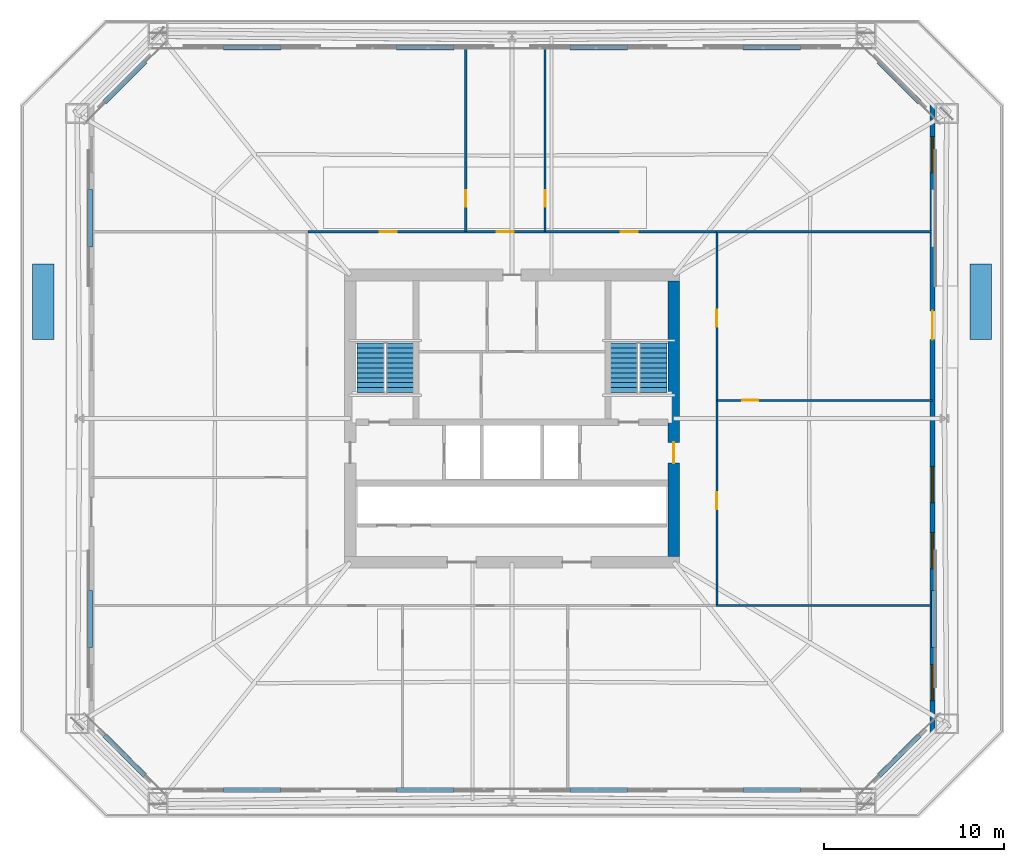
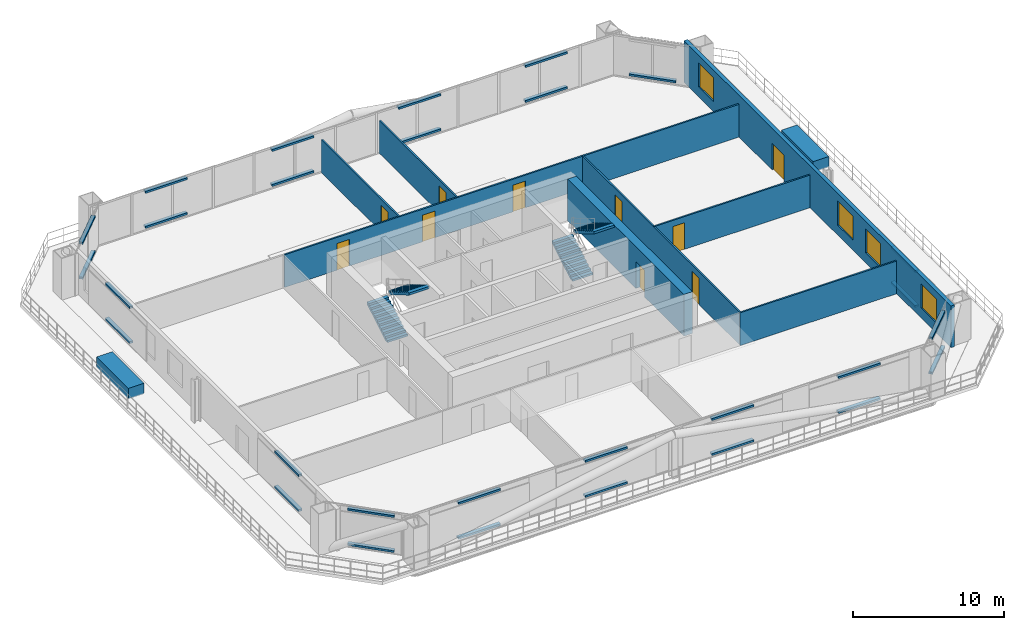
# One storey, part 30 of 34: 31 discrete accessories, 10 doors, 9 walls, 4 stair flights, 4 windows, 14 openings, 2 elements without a shape of their own.
"""IFC4 building model written with IfcOpenShell, lengths in metres."""

from ifc_helpers import new_model, si_unit, direction, frame, frame_2d, origin, origin_2d, place, context, subcontext, project, spatial, polyline, rectangle, outline, extrude, material, layer, layer_set, type_object, element, fill, aggregate, save


model = new_model("IFC4")

# Units and contexts
model_context = context("Model", 3, precision=1e-05, world=origin(), true_north=direction((0.0, 1.0)))
body_context = subcontext(model_context, "Body", "Model", "MODEL_VIEW")
ifc_project = project(units=[si_unit("LENGTHUNIT", "METRE"), si_unit("AREAUNIT", "SQUARE_METRE"), si_unit("VOLUMEUNIT", "CUBIC_METRE"), si_unit("PLANEANGLEUNIT", "RADIAN"), si_unit("MASSUNIT", "GRAM", prefix="KILO")], contexts=[model_context])

# Site, building, storey
site_placement = place(None, origin())
site = spatial("IfcSite", under=ifc_project, at=site_placement, CompositionType="ELEMENT")
building_placement = place(site_placement, origin())
building = spatial("IfcBuilding", under=site, at=building_placement, Name="Caelvoria Tower", CompositionType="ELEMENT")
storey_placement = place(building_placement, frame((0.0, 0.0, 28.0)))
storey = spatial("IfcBuildingStorey", under=building, at=storey_placement, Name="L06", CompositionType="ELEMENT", Elevation=28.0)

# Wall, openings, door, windows
ifc_material_1 = material(Name="Precast Concrete C40/50 with Bronze Cladding", Category="concrete")
ifc_layer_1 = layer(ifc_material_1, 0.280029296875, Name="Precast Concrete C40/50 with Bronze Cladding")
ifc_layer_set_1 = layer_set([ifc_layer_1], Name="Exterior Precast Concrete C40/50 Bronze-Clad Facade Wall 280 - Precast Concrete C40/50 with Bronze Cladding")
wall_type_1 = type_object("IfcWallType", Name="Exterior Precast Concrete C40/50 Bronze-Clad Facade Wall 280", PredefinedType="STANDARD", material=ifc_layer_set_1)
wall_1_placement = place(storey_placement, frame((69.419921875, 14.360107421875, 0.0), z_axis=(0.0, 0.0, 1.0), x_axis=(0.0, 1.0, 0.0)))
wall_1 = element("IfcWall", 1, at=wall_1_placement, inside=storey, type_object=wall_type_1, Name="Exterior Facade Wall L06-E2", PredefinedType="STANDARD", context=body_context, shape_type="SweptSolid", body=[
    extrude(rectangle(XDim=35.27978515625, YDim=0.280029296875, at=frame_2d((17.639892578125, 0.0))), origin(), (0.0, 0.0, 1.0), 3.360107421875),
])
opening_1_placement = place(wall_1_placement, frame((22.0400390625, 0.0, 0.0)))
opening_1 = element("IfcOpeningElement", 2, at=opening_1_placement, cuts=wall_1, Name="Opening ED-03", PredefinedType="OPENING", context=body_context, shape_type="SweptSolid", body=[
    extrude(rectangle(XDim=1.60009765625, YDim=2.14990234375, at=frame_2d((0.800048828125, 1.074951171875))), frame((0.0, 0.14990234375, 0.0), z_axis=(0.0, -1.0, 0.0), x_axis=(1.0, 0.0, 0.0)), (0.0, 0.0, 1.0), 0.300048828125),
])
opening_2_placement = place(wall_1_placement, frame((1.937744140625, 0.0, 0.800048828125)))
opening_2 = element("IfcOpeningElement", 3, at=opening_2_placement, cuts=wall_1, Name="Opening WN-01", PredefinedType="OPENING", context=body_context, shape_type="SweptSolid", body=[
    extrude(rectangle(XDim=2.0, YDim=1.949951171875, at=frame_2d((1.0, 0.97509765625))), frame((0.0, 0.14990234375, 0.0), z_axis=(0.0, -1.0, 0.0), x_axis=(1.0, 0.0, 0.0)), (0.0, 0.0, 1.0), 0.300048828125),
])
opening_3_placement = place(wall_1_placement, frame((9.288818359375, 0.0, 0.800048828125)))
opening_3 = element("IfcOpeningElement", 4, at=opening_3_placement, cuts=wall_1, Name="Opening WN-01", PredefinedType="OPENING", context=body_context, shape_type="SweptSolid", body=[
    extrude(rectangle(XDim=2.0, YDim=1.949951171875, at=frame_2d((1.0, 0.97509765625))), frame((0.0, 0.14990234375, 0.0), z_axis=(0.0, -1.0, 0.0), x_axis=(1.0, 0.0, 0.0)), (0.0, 0.0, 1.0), 0.300048828125),
])
opening_4_placement = place(wall_1_placement, frame((12.96435546875, 0.0, 0.800048828125)))
opening_4 = element("IfcOpeningElement", 5, at=opening_4_placement, cuts=wall_1, Name="Opening WN-01", PredefinedType="OPENING", context=body_context, shape_type="SweptSolid", body=[
    extrude(rectangle(XDim=2.0, YDim=1.949951171875, at=frame_2d((1.0, 0.97509765625))), frame((0.0, 0.14990234375, 0.0), z_axis=(0.0, -1.0, 0.0), x_axis=(1.0, 0.0, 0.0)), (0.0, 0.0, 1.0), 0.300048828125),
])
opening_5_placement = place(wall_1_placement, frame((31.34228515625, 0.0, 0.800048828125)))
opening_5 = element("IfcOpeningElement", 6, at=opening_5_placement, cuts=wall_1, Name="Opening WN-01", PredefinedType="OPENING", context=body_context, shape_type="SweptSolid", body=[
    extrude(rectangle(XDim=2.0, YDim=1.949951171875, at=frame_2d((1.0, 0.97509765625))), frame((0.0, 0.14990234375, 0.0), z_axis=(0.0, -1.0, 0.0), x_axis=(1.0, 0.0, 0.0)), (0.0, 0.0, 1.0), 0.300048828125),
])
ifc_material_2 = material(Name="Anodised Bronze Aluminium and Laminated Glass", Category="aluminium")
door_type_1 = type_object("IfcDoorType", Name="Terrace Garden Double Glazed Door 1600x2150", OperationType="NOTDEFINED", PredefinedType="DOOR", material=ifc_material_2)
door_1_placement = place(opening_1_placement, origin())
door_1 = element("IfcDoor", 7, at=door_1_placement, inside=storey, type_object=door_type_1, Name="Terrace Roof Garden Door L06-E", OperationType="DOUBLE_DOOR_SINGLE_SWING", OverallHeight=2.14990234375, OverallWidth=1.60009765625, PredefinedType="DOOR", context=body_context, shape_type="SweptSolid", body=[
    extrude(rectangle(XDim=1.60009765625, YDim=2.14990234375, at=frame_2d((0.800048828125, 1.074951171875))), frame((0.0, 0.02490234375, 0.0), z_axis=(0.0, -1.0, 0.0), x_axis=(1.0, 0.0, 0.0)), (0.0, 0.0, 1.0), 0.050048828125),
])
fill(opening_1, door_1)
ifc_material_3 = material(Name="Low-E Tinted Glass in Bronze Aluminium Frame", Category="aluminium")
window_type = type_object("IfcWindowType", Name="Tower Office Vision Window 2000x1950", PartitioningType="SINGLE_PANEL", PredefinedType="WINDOW", material=ifc_material_3)
window_1_placement = place(opening_2_placement, origin())
window_1 = element("IfcWindow", 8, at=window_1_placement, inside=storey, type_object=window_type, Name="Facade Window L06-E2-00", OverallHeight=1.949951171875, OverallWidth=2.0, PartitioningType="SINGLE_PANEL", PredefinedType="WINDOW", context=body_context, shape_type="SweptSolid", body=[
    extrude(rectangle(XDim=2.0, YDim=1.949951171875, at=frame_2d((1.0, 0.97509765625))), frame((0.0, 0.030029296875, 0.0), z_axis=(0.0, -1.0, 0.0), x_axis=(1.0, 0.0, 0.0)), (0.0, 0.0, 1.0), 0.06005859375),
])
fill(opening_2, window_1)
window_2_placement = place(opening_3_placement, origin())
window_2 = element("IfcWindow", 9, at=window_2_placement, inside=storey, type_object=window_type, Name="Facade Window L06-E2-02", OverallHeight=1.949951171875, OverallWidth=2.0, PartitioningType="SINGLE_PANEL", PredefinedType="WINDOW", context=body_context, shape_type="SweptSolid", body=[
    extrude(rectangle(XDim=2.0, YDim=1.949951171875, at=frame_2d((1.0, 0.97509765625))), frame((0.0, 0.030029296875, 0.0), z_axis=(0.0, -1.0, 0.0), x_axis=(1.0, 0.0, 0.0)), (0.0, 0.0, 1.0), 0.06005859375),
])
fill(opening_3, window_2)
window_3_placement = place(opening_4_placement, origin())
window_3 = element("IfcWindow", 10, at=window_3_placement, inside=storey, type_object=window_type, Name="Facade Window L06-E2-03", OverallHeight=1.949951171875, OverallWidth=2.0, PartitioningType="SINGLE_PANEL", PredefinedType="WINDOW", context=body_context, shape_type="SweptSolid", body=[
    extrude(rectangle(XDim=2.0, YDim=1.949951171875, at=frame_2d((1.0, 0.97509765625))), frame((0.0, 0.030029296875, 0.0), z_axis=(0.0, -1.0, 0.0), x_axis=(1.0, 0.0, 0.0)), (0.0, 0.0, 1.0), 0.06005859375),
])
fill(opening_4, window_3)
window_4_placement = place(opening_5_placement, origin())
window_4 = element("IfcWindow", 11, at=window_4_placement, inside=storey, type_object=window_type, Name="Facade Window L06-E2-08", OverallHeight=1.949951171875, OverallWidth=2.0, PartitioningType="SINGLE_PANEL", PredefinedType="WINDOW", context=body_context, shape_type="SweptSolid", body=[
    extrude(rectangle(XDim=2.0, YDim=1.949951171875, at=frame_2d((1.0, 0.97509765625))), frame((0.0, 0.030029296875, 0.0), z_axis=(0.0, -1.0, 0.0), x_axis=(1.0, 0.0, 0.0)), (0.0, 0.0, 1.0), 0.06005859375),
])
fill(opening_5, window_4)

# Wall, opening, door
ifc_material_4 = material(Name="Concrete C60/75", Category="concrete")
ifc_layer_2 = layer(ifc_material_4, 0.64990234375, Name="Concrete C60/75")
ifc_layer_set_2 = layer_set([ifc_layer_2], Name="Lower Core Shear Wall 650 - Concrete C60/75")
wall_type_2 = type_object("IfcWallType", Name="Lower Core Shear Wall 650", PredefinedType="SHEAR", material=ifc_layer_set_2)
wall_2_placement = place(storey_placement, frame((55.0, 24.324951171875, 0.0), z_axis=(0.0, 0.0, 1.0), x_axis=(0.0, 1.0, 0.0)))
wall_2 = element("IfcWall", 12, at=wall_2_placement, inside=storey, type_object=wall_type_2, Name="Core Shear Wall L06 E", PredefinedType="SHEAR", context=body_context, shape_type="SweptSolid", body=[
    extrude(rectangle(XDim=15.35009765625, YDim=0.64990234375, at=frame_2d((7.675048828125, 0.0))), origin(), (0.0, 0.0, 1.0), 3.360107421875),
])
opening_6_placement = place(wall_2_placement, frame((5.199951171875, 0.0, 0.0)))
opening_6 = element("IfcOpeningElement", 13, at=opening_6_placement, cuts=wall_2, Name="Opening ID-02", PredefinedType="OPENING", context=body_context, shape_type="SweptSolid", body=[
    extrude(rectangle(XDim=1.14990234375, YDim=2.14990234375, at=frame_2d((0.574951171875, 1.074951171875))), frame((0.0, 0.3349609375, 0.0), z_axis=(0.0, -1.0, 0.0), x_axis=(1.0, 0.0, 0.0)), (0.0, 0.0, 1.0), 0.669921875),
])
ifc_material_5 = material(Name="Painted Hollow Steel Fire Door", Category="steel")
door_type_2 = type_object("IfcDoorType", Name="Fire Door FD60S 1150x2150", OperationType="NOTDEFINED", PredefinedType="DOOR", material=ifc_material_5)
door_2_placement = place(opening_6_placement, origin())
door_2 = element("IfcDoor", 14, at=door_2_placement, inside=storey, type_object=door_type_2, Name="Core Door DR-L06-FFLE-OUT", OperationType="SINGLE_SWING_RIGHT", OverallHeight=2.14990234375, OverallWidth=1.14990234375, PredefinedType="DOOR", context=body_context, shape_type="SweptSolid", body=[
    extrude(rectangle(XDim=1.14990234375, YDim=2.14990234375, at=frame_2d((0.574951171875, 1.074951171875))), frame((0.0, 0.02490234375, 0.0), z_axis=(0.0, -1.0, 0.0), x_axis=(1.0, 0.0, 0.0)), (0.0, 0.0, 1.0), 0.050048828125),
])
fill(opening_6, door_2)

ifc_material_6 = material(Name="Acoustic Gypsum Board on Light-Gauge Stud", Category="gypsum")
ifc_layer_3 = layer(ifc_material_6, 0.1201171875, Name="Acoustic Gypsum Board on Light-Gauge Stud")
ifc_layer_set_3 = layer_set([ifc_layer_3], Name="Tenant Suite Acoustic Partition Wall 120 - Acoustic Gypsum Board on Light-Gauge Stud")
wall_type_3 = type_object("IfcWallType", Name="Tenant Suite Acoustic Partition Wall 120", PredefinedType="PARTITIONING", material=ifc_layer_set_3)
wall_3_placement = place(storey_placement, frame((43.422119140625, 42.409912109375, 0.0), z_axis=(0.0, 0.0, 1.0), x_axis=(0.0, 1.0, 0.0)))
wall_3 = element("IfcWall", 15, at=wall_3_placement, inside=storey, type_object=wall_type_3, Name="Interior Partition IW-L06-ND-00-0", PredefinedType="PARTITIONING", context=body_context, shape_type="SweptSolid", body=[
    extrude(rectangle(XDim=10.210205078125, YDim=0.1201171875, at=frame_2d((5.10498046875, 0.0))), origin(), (0.0, 0.0, 1.0), 2.639892578125),
])
opening_7_placement = place(wall_3_placement, frame((1.39990234375, 0.0, 0.0)))
opening_7 = element("IfcOpeningElement", 16, at=opening_7_placement, cuts=wall_3, Name="Opening ID-06", PredefinedType="OPENING", context=body_context, shape_type="SweptSolid", body=[
    extrude(rectangle(XDim=0.89990234375, YDim=2.14990234375, at=frame_2d((0.449951171875, 1.074951171875))), frame((0.0, 0.070068359375, 0.0), z_axis=(0.0, -1.0, 0.0), x_axis=(1.0, 0.0, 0.0)), (0.0, 0.0, 1.0), 0.14013671875),
])
ifc_material_7 = material(Name="Engineered Andean Oak Veneer Door", Category="wood")
door_type_3 = type_object("IfcDoorType", Name="Interior Timber Door 900x2150", OperationType="NOTDEFINED", PredefinedType="DOOR", material=ifc_material_7)
door_3_placement = place(opening_7_placement, origin())
door_3 = element("IfcDoor", 17, at=door_3_placement, inside=storey, type_object=door_type_3, Name="Interior Door DR-L06-NM-00-0", OperationType="SINGLE_SWING_RIGHT", OverallHeight=2.14990234375, OverallWidth=0.89990234375, PredefinedType="DOOR", context=body_context, shape_type="SweptSolid", body=[
    extrude(rectangle(XDim=0.89990234375, YDim=2.14990234375, at=frame_2d((0.449951171875, 1.074951171875))), frame((0.0, 0.02490234375, 0.0), z_axis=(0.0, -1.0, 0.0), x_axis=(1.0, 0.0, 0.0)), (0.0, 0.0, 1.0), 0.050048828125),
])
fill(opening_7, door_3)

wall_4_placement = place(storey_placement, frame((47.84375, 42.409912109375, 0.0), z_axis=(0.0, 0.0, 1.0), x_axis=(0.0, 1.0, 0.0)))
wall_4 = element("IfcWall", 18, at=wall_4_placement, inside=storey, type_object=wall_type_3, Name="Interior Partition IW-L06-ND-01-0", PredefinedType="PARTITIONING", context=body_context, shape_type="SweptSolid", body=[
    extrude(rectangle(XDim=10.210205078125, YDim=0.1201171875, at=frame_2d((5.10498046875, 0.0))), origin(), (0.0, 0.0, 1.0), 2.639892578125),
])
opening_8_placement = place(wall_4_placement, frame((1.39990234375, 0.0, 0.0)))
opening_8 = element("IfcOpeningElement", 19, at=opening_8_placement, cuts=wall_4, Name="Opening ID-06", PredefinedType="OPENING", context=body_context, shape_type="SweptSolid", body=[
    extrude(rectangle(XDim=0.89990234375, YDim=2.14990234375, at=frame_2d((0.449951171875, 1.074951171875))), frame((0.0, 0.070068359375, 0.0), z_axis=(0.0, -1.0, 0.0), x_axis=(1.0, 0.0, 0.0)), (0.0, 0.0, 1.0), 0.14013671875),
])
door_4_placement = place(opening_8_placement, origin())
door_4 = element("IfcDoor", 20, at=door_4_placement, inside=storey, type_object=door_type_3, Name="Interior Door DR-L06-NM-01-0", OperationType="SINGLE_SWING_LEFT", OverallHeight=2.14990234375, OverallWidth=0.89990234375, PredefinedType="DOOR", context=body_context, shape_type="SweptSolid", body=[
    extrude(rectangle(XDim=0.89990234375, YDim=2.14990234375, at=frame_2d((0.449951171875, 1.074951171875))), frame((0.0, 0.02490234375, 0.0), z_axis=(0.0, -1.0, 0.0), x_axis=(1.0, 0.0, 0.0)), (0.0, 0.0, 1.0), 0.050048828125),
])
fill(opening_8, door_4)

# Wall, openings, doors
wall_5_placement = place(storey_placement, frame((34.64990234375, 42.409912109375, 0.0), z_axis=(0.0, 0.0, 1.0), x_axis=(1.0, 0.0, 0.0)))
wall_5 = element("IfcWall", 21, at=wall_5_placement, inside=storey, type_object=wall_type_3, Name="Interior Partition IW-L06-NCW-0", PredefinedType="PARTITIONING", context=body_context, shape_type="SweptSolid", body=[
    extrude(rectangle(XDim=22.7001953125, YDim=0.1201171875, at=frame_2d((11.35009765625, 0.0))), origin(), (0.0, 0.0, 1.0), 2.639892578125),
])
opening_9_placement = place(wall_5_placement, frame((3.98095703125, 0.0, 0.0)))
opening_9 = element("IfcOpeningElement", 22, at=opening_9_placement, cuts=wall_5, Name="Opening ID-05", PredefinedType="OPENING", context=body_context, shape_type="SweptSolid", body=[
    extrude(rectangle(XDim=0.949951171875, YDim=2.14990234375, at=frame_2d((0.47509765625, 1.074951171875))), frame((0.0, 0.070068359375, 0.0), z_axis=(0.0, -1.0, 0.0), x_axis=(1.0, 0.0, 0.0)), (0.0, 0.0, 1.0), 0.14013671875),
])
opening_10_placement = place(wall_5_placement, frame((10.5078125, 0.0, 0.0)))
opening_10 = element("IfcOpeningElement", 23, at=opening_10_placement, cuts=wall_5, Name="Opening ID-05", PredefinedType="OPENING", context=body_context, shape_type="SweptSolid", body=[
    extrude(rectangle(XDim=0.949951171875, YDim=2.14990234375, at=frame_2d((0.47509765625, 1.074951171875))), frame((0.0, 0.070068359375, 0.0), z_axis=(0.0, -1.0, 0.0), x_axis=(1.0, 0.0, 0.0)), (0.0, 0.0, 1.0), 0.14013671875),
])
opening_11_placement = place(wall_5_placement, frame((17.40185546875, 0.0, 0.0)))
opening_11 = element("IfcOpeningElement", 24, at=opening_11_placement, cuts=wall_5, Name="Opening ID-05", PredefinedType="OPENING", context=body_context, shape_type="SweptSolid", body=[
    extrude(rectangle(XDim=0.949951171875, YDim=2.14990234375, at=frame_2d((0.47509765625, 1.074951171875))), frame((0.0, 0.070068359375, 0.0), z_axis=(0.0, -1.0, 0.0), x_axis=(1.0, 0.0, 0.0)), (0.0, 0.0, 1.0), 0.14013671875),
])
door_type_4 = type_object("IfcDoorType", Name="Interior Timber Door 950x2150", OperationType="NOTDEFINED", PredefinedType="DOOR", material=ifc_material_7)
door_5_placement = place(opening_9_placement, origin())
door_5 = element("IfcDoor", 25, at=door_5_placement, inside=storey, type_object=door_type_4, Name="Interior Door DR-L06-NC-00-0", OperationType="SINGLE_SWING_LEFT", OverallHeight=2.14990234375, OverallWidth=0.949951171875, PredefinedType="DOOR", context=body_context, shape_type="SweptSolid", body=[
    extrude(rectangle(XDim=0.949951171875, YDim=2.14990234375, at=frame_2d((0.47509765625, 1.074951171875))), frame((0.0, 0.02490234375, 0.0), z_axis=(0.0, -1.0, 0.0), x_axis=(1.0, 0.0, 0.0)), (0.0, 0.0, 1.0), 0.050048828125),
])
fill(opening_9, door_5)
door_6_placement = place(opening_10_placement, origin())
door_6 = element("IfcDoor", 26, at=door_6_placement, inside=storey, type_object=door_type_4, Name="Interior Door DR-L06-NC-01-0", OperationType="SINGLE_SWING_RIGHT", OverallHeight=2.14990234375, OverallWidth=0.949951171875, PredefinedType="DOOR", context=body_context, shape_type="SweptSolid", body=[
    extrude(rectangle(XDim=0.949951171875, YDim=2.14990234375, at=frame_2d((0.47509765625, 1.074951171875))), frame((0.0, 0.02490234375, 0.0), z_axis=(0.0, -1.0, 0.0), x_axis=(1.0, 0.0, 0.0)), (0.0, 0.0, 1.0), 0.050048828125),
])
fill(opening_10, door_6)
door_7_placement = place(opening_11_placement, origin())
door_7 = element("IfcDoor", 27, at=door_7_placement, inside=storey, type_object=door_type_4, Name="Interior Door DR-L06-NC-02-0", OperationType="SINGLE_SWING_LEFT", OverallHeight=2.14990234375, OverallWidth=0.949951171875, PredefinedType="DOOR", context=body_context, shape_type="SweptSolid", body=[
    extrude(rectangle(XDim=0.949951171875, YDim=2.14990234375, at=frame_2d((0.47509765625, 1.074951171875))), frame((0.0, 0.02490234375, 0.0), z_axis=(0.0, -1.0, 0.0), x_axis=(1.0, 0.0, 0.0)), (0.0, 0.0, 1.0), 0.050048828125),
])
fill(opening_11, door_7)

# Wall, opening, door
wall_6_placement = place(storey_placement, frame((57.409912109375, 33.01904296875, 0.0), z_axis=(0.0, 0.0, 1.0), x_axis=(1.0, 0.0, 0.0)))
wall_6 = element("IfcWall", 28, at=wall_6_placement, inside=storey, type_object=wall_type_3, Name="Interior Partition IW-L06-ED-00-0", PredefinedType="PARTITIONING", context=body_context, shape_type="SweptSolid", body=[
    extrude(rectangle(XDim=12.010009765625, YDim=0.1201171875, at=frame_2d((6.0048828125, 0.0))), origin(), (0.0, 0.0, 1.0), 2.639892578125),
])
opening_12_placement = place(wall_6_placement, frame((1.39990234375, 0.0, 0.0)))
opening_12 = element("IfcOpeningElement", 29, at=opening_12_placement, cuts=wall_6, Name="Opening ID-06", PredefinedType="OPENING", context=body_context, shape_type="SweptSolid", body=[
    extrude(rectangle(XDim=0.89990234375, YDim=2.14990234375, at=frame_2d((0.449951171875, 1.074951171875))), frame((0.0, 0.070068359375, 0.0), z_axis=(0.0, -1.0, 0.0), x_axis=(1.0, 0.0, 0.0)), (0.0, 0.0, 1.0), 0.14013671875),
])
door_8_placement = place(opening_12_placement, origin())
door_8 = element("IfcDoor", 30, at=door_8_placement, inside=storey, type_object=door_type_3, Name="Interior Door DR-L06-EM-00-0", OperationType="SINGLE_SWING_RIGHT", OverallHeight=2.14990234375, OverallWidth=0.89990234375, PredefinedType="DOOR", context=body_context, shape_type="SweptSolid", body=[
    extrude(rectangle(XDim=0.89990234375, YDim=2.14990234375, at=frame_2d((0.449951171875, 1.074951171875))), frame((0.0, 0.02490234375, 0.0), z_axis=(0.0, -1.0, 0.0), x_axis=(1.0, 0.0, 0.0)), (0.0, 0.0, 1.0), 0.050048828125),
])
fill(opening_12, door_8)

# Wall, openings, doors
wall_7_placement = place(storey_placement, frame((57.409912109375, 21.64990234375, 0.0), z_axis=(0.0, 0.0, 1.0), x_axis=(0.0, 1.0, 0.0)))
wall_7 = element("IfcWall", 31, at=wall_7_placement, inside=storey, type_object=wall_type_3, Name="Interior Partition IW-L06-ECW-0", PredefinedType="PARTITIONING", context=body_context, shape_type="SweptSolid", body=[
    extrude(rectangle(XDim=20.7001953125, YDim=0.1201171875, at=frame_2d((10.35009765625, 0.0))), origin(), (0.0, 0.0, 1.0), 2.639892578125),
])
opening_13_placement = place(wall_7_placement, frame((5.3095703125, 0.0, 0.0)))
opening_13 = element("IfcOpeningElement", 32, at=opening_13_placement, cuts=wall_7, Name="Opening ID-05", PredefinedType="OPENING", context=body_context, shape_type="SweptSolid", body=[
    extrude(rectangle(XDim=0.949951171875, YDim=2.14990234375, at=frame_2d((0.47509765625, 1.074951171875))), frame((0.0, 0.070068359375, 0.0), z_axis=(0.0, -1.0, 0.0), x_axis=(1.0, 0.0, 0.0)), (0.0, 0.0, 1.0), 0.14013671875),
])
opening_14_placement = place(wall_7_placement, frame((15.45947265625, 0.0, 0.0)))
opening_14 = element("IfcOpeningElement", 33, at=opening_14_placement, cuts=wall_7, Name="Opening ID-05", PredefinedType="OPENING", context=body_context, shape_type="SweptSolid", body=[
    extrude(rectangle(XDim=0.949951171875, YDim=2.14990234375, at=frame_2d((0.47509765625, 1.074951171875))), frame((0.0, 0.070068359375, 0.0), z_axis=(0.0, -1.0, 0.0), x_axis=(1.0, 0.0, 0.0)), (0.0, 0.0, 1.0), 0.14013671875),
])
door_9_placement = place(opening_13_placement, origin())
door_9 = element("IfcDoor", 34, at=door_9_placement, inside=storey, type_object=door_type_4, Name="Interior Door DR-L06-EC-00-0", OperationType="SINGLE_SWING_LEFT", OverallHeight=2.14990234375, OverallWidth=0.949951171875, PredefinedType="DOOR", context=body_context, shape_type="SweptSolid", body=[
    extrude(rectangle(XDim=0.949951171875, YDim=2.14990234375, at=frame_2d((0.47509765625, 1.074951171875))), frame((0.0, 0.02490234375, 0.0), z_axis=(0.0, -1.0, 0.0), x_axis=(1.0, 0.0, 0.0)), (0.0, 0.0, 1.0), 0.050048828125),
])
fill(opening_13, door_9)
door_10_placement = place(opening_14_placement, origin())
door_10 = element("IfcDoor", 35, at=door_10_placement, inside=storey, type_object=door_type_4, Name="Interior Door DR-L06-EC-01-0", OperationType="SINGLE_SWING_RIGHT", OverallHeight=2.14990234375, OverallWidth=0.949951171875, PredefinedType="DOOR", context=body_context, shape_type="SweptSolid", body=[
    extrude(rectangle(XDim=0.949951171875, YDim=2.14990234375, at=frame_2d((0.47509765625, 1.074951171875))), frame((0.0, 0.02490234375, 0.0), z_axis=(0.0, -1.0, 0.0), x_axis=(1.0, 0.0, 0.0)), (0.0, 0.0, 1.0), 0.050048828125),
])
fill(opening_14, door_10)

# Walls
for number, where, z_axis, x_axis, name in (
    (36, (57.35009765625, 21.590087890625, 0.0), (0.0, 0.0, 1.0), (1.0, 0.0, 0.0), "Interior Partition IW-L06-BSE-0"),
    (37, (57.35009765625, 42.409912109375, 0.0), (0.0, 0.0, 1.0), (1.0, 0.0, 0.0), "Interior Partition IW-L06-BNE-0"),
):
    element("IfcWall", number, at=place(storey_placement, frame(where, z_axis=z_axis, x_axis=x_axis)), inside=storey, type_object=wall_type_3, Name=name, PredefinedType="PARTITIONING", context=body_context, shape_type="SweptSolid", body=[
        extrude(rectangle(XDim=12.06982421875, YDim=0.1201171875, at=frame_2d((6.034912109375, 0.0))), origin(), (0.0, 0.0, 1.0), 2.639892578125),
    ])

# Stair, stair flights
ifc_material_8 = material(Name="Concrete C40/50", Category="concrete")
stair_type = type_object("IfcStairType", Name="Core Smokeproof Dogleg Stair Concrete C40/50", PredefinedType="HALF_TURN_STAIR", material=ifc_material_8)
stair_1_placement = place(storey_placement, origin())
stair_1 = element("IfcStair", 38, at=stair_1_placement, inside=storey, type_object=stair_type, Name="ST-01 Smokeproof Exit Stair L06", PredefinedType="HALF_TURN_STAIR")
ifc_material_9 = material(Name="Precast Concrete C40/50", Category="concrete")
stair_flight_type = type_object("IfcStairFlightType", Name="Precast Concrete C40/50 Stair Flight 1480", PredefinedType="STRAIGHT", material=ifc_material_9)
stair_flight_1_placement = place(storey_placement, frame((38.1298828125, 33.449951171875, 0.0), z_axis=(0.0, 0.0, 1.0), x_axis=(0.0, 1.0, 0.0)))
stair_flight_1 = element("IfcStairFlight", 39, at=stair_flight_1_placement, type_object=stair_flight_type, Name="ST-01 flight 1", NumberOfRisers=11, NumberOfTreads=10, PredefinedType="STRAIGHT", RiserHeight=0.1636, TreadLength=0.275, context=body_context, shape_type="SweptSolid", body=[
    extrude(outline(polyline([(0.0, 0.0), (0.0, 0.16357421875), (0.27490234375, 0.16357421875), (0.27490234375, 0.3271484375), (0.550048828125, 0.3271484375), (0.550048828125, 0.49072265625), (0.824951171875, 0.49072265625), (0.824951171875, 0.654296875), (1.10009765625, 0.654296875), (1.10009765625, 0.818115234375), (1.375, 0.818115234375), (1.375, 0.981689453125), (1.64990234375, 0.981689453125), (1.64990234375, 1.145263671875), (1.925048828125, 1.145263671875), (1.925048828125, 1.308837890625), (2.199951171875, 1.308837890625), (2.199951171875, 1.472412109375), (2.47509765625, 1.472412109375), (2.47509765625, 1.635986328125), (2.75, 1.635986328125), (2.75, 1.799560546875), (2.75, 1.449951171875), (0.312744140625, 0.0), (0.0, 0.0)])), frame((0.0, 0.77001953125, 0.0), z_axis=(0.0, -1.0, 0.0), x_axis=(1.0, 0.0, 0.0)), (0.0, 0.0, 1.0), 1.5400390625),
])
stair_flight_2_placement = place(storey_placement, frame((39.77001953125, 36.199951171875, 1.800048828125), z_axis=(0.0, 0.0, 1.0), x_axis=(0.0, -1.0, 0.0)))
stair_flight_2 = element("IfcStairFlight", 40, at=stair_flight_2_placement, type_object=stair_flight_type, Name="ST-01 flight 2", NumberOfRisers=11, NumberOfTreads=10, PredefinedType="STRAIGHT", RiserHeight=0.1636, TreadLength=0.275, context=body_context, shape_type="SweptSolid", body=[
    extrude(outline(polyline([(0.0, 0.0), (0.0, 0.16357421875), (0.27490234375, 0.16357421875), (0.27490234375, 0.3271484375), (0.550048828125, 0.3271484375), (0.550048828125, 0.49072265625), (0.824951171875, 0.49072265625), (0.824951171875, 0.654296875), (1.10009765625, 0.654296875), (1.10009765625, 0.818115234375), (1.375, 0.818115234375), (1.375, 0.981689453125), (1.64990234375, 0.981689453125), (1.64990234375, 1.145263671875), (1.925048828125, 1.145263671875), (1.925048828125, 1.308837890625), (2.199951171875, 1.308837890625), (2.199951171875, 1.472412109375), (2.47509765625, 1.472412109375), (2.47509765625, 1.635986328125), (2.75, 1.635986328125), (2.75, 1.799560546875), (2.75, 1.449951171875), (0.312744140625, 0.0), (0.0, 0.0)])), frame((0.0, 0.77001953125, 0.0), z_axis=(0.0, -1.0, 0.0), x_axis=(1.0, 0.0, 0.0)), (0.0, 0.0, 1.0), 1.5400390625),
])
aggregate(stair_1, [stair_flight_1, stair_flight_2])

stair_2_placement = place(storey_placement, origin())
stair_2 = element("IfcStair", 41, at=stair_2_placement, inside=storey, type_object=stair_type, Name="ST-02 Smokeproof Exit Stair L06", PredefinedType="HALF_TURN_STAIR")
stair_flight_3_placement = place(storey_placement, frame((52.22998046875, 33.449951171875, 0.0), z_axis=(0.0, 0.0, 1.0), x_axis=(0.0, 1.0, 0.0)))
stair_flight_3 = element("IfcStairFlight", 42, at=stair_flight_3_placement, type_object=stair_flight_type, Name="ST-02 flight 1", NumberOfRisers=11, NumberOfTreads=10, PredefinedType="STRAIGHT", RiserHeight=0.1636, TreadLength=0.275, context=body_context, shape_type="SweptSolid", body=[
    extrude(outline(polyline([(0.0, 0.0), (0.0, 0.16357421875), (0.27490234375, 0.16357421875), (0.27490234375, 0.3271484375), (0.550048828125, 0.3271484375), (0.550048828125, 0.49072265625), (0.824951171875, 0.49072265625), (0.824951171875, 0.654296875), (1.10009765625, 0.654296875), (1.10009765625, 0.818115234375), (1.375, 0.818115234375), (1.375, 0.981689453125), (1.64990234375, 0.981689453125), (1.64990234375, 1.145263671875), (1.925048828125, 1.145263671875), (1.925048828125, 1.308837890625), (2.199951171875, 1.308837890625), (2.199951171875, 1.472412109375), (2.47509765625, 1.472412109375), (2.47509765625, 1.635986328125), (2.75, 1.635986328125), (2.75, 1.799560546875), (2.75, 1.449951171875), (0.312744140625, 0.0), (0.0, 0.0)])), frame((0.0, 0.77001953125, 0.0), z_axis=(0.0, -1.0, 0.0), x_axis=(1.0, 0.0, 0.0)), (0.0, 0.0, 1.0), 1.5400390625),
])
stair_flight_4_placement = place(storey_placement, frame((53.8701171875, 36.199951171875, 1.800048828125), z_axis=(0.0, 0.0, 1.0), x_axis=(0.0, -1.0, 0.0)))
stair_flight_4 = element("IfcStairFlight", 43, at=stair_flight_4_placement, type_object=stair_flight_type, Name="ST-02 flight 2", NumberOfRisers=11, NumberOfTreads=10, PredefinedType="STRAIGHT", RiserHeight=0.1636, TreadLength=0.275, context=body_context, shape_type="SweptSolid", body=[
    extrude(outline(polyline([(0.0, 0.0), (0.0, 0.16357421875), (0.27490234375, 0.16357421875), (0.27490234375, 0.3271484375), (0.550048828125, 0.3271484375), (0.550048828125, 0.49072265625), (0.824951171875, 0.49072265625), (0.824951171875, 0.654296875), (1.10009765625, 0.654296875), (1.10009765625, 0.818115234375), (1.375, 0.818115234375), (1.375, 0.981689453125), (1.64990234375, 0.981689453125), (1.64990234375, 1.145263671875), (1.925048828125, 1.145263671875), (1.925048828125, 1.308837890625), (2.199951171875, 1.308837890625), (2.199951171875, 1.472412109375), (2.47509765625, 1.472412109375), (2.47509765625, 1.635986328125), (2.75, 1.635986328125), (2.75, 1.799560546875), (2.75, 1.449951171875), (0.312744140625, 0.0), (0.0, 0.0)])), frame((0.0, 0.77001953125, 0.0), z_axis=(0.0, -1.0, 0.0), x_axis=(1.0, 0.0, 0.0)), (0.0, 0.0, 1.0), 1.5400390625),
])
aggregate(stair_2, [stair_flight_3, stair_flight_4])

# Discrete accessories
ifc_material_10 = material(Name="Bronze-Clad Concrete C40/50 Planter Vessel", Category="concrete")
discrete_accessory_type_1 = type_object("IfcDiscreteAccessoryType", Name="Podium Terrace Garden Planter Bed PLANTER", PredefinedType="USERDEFINED", material=ifc_material_10)
for number, where, z_axis, x_axis, name in (
    (44, (19.89990234375, 38.5, 0.0), (0.0, 0.0, 1.0), (1.0, 0.0, 0.0), "Terrace Planted Bed L06-W"),
    (45, (72.10009765625, 38.5, 0.0), (0.0, 0.0, 1.0), (1.0, 0.0, 0.0), "Terrace Planted Bed L06-E"),
):
    element("IfcDiscreteAccessory", number, at=place(storey_placement, frame(where, z_axis=z_axis, x_axis=x_axis)), inside=storey, type_object=discrete_accessory_type_1, Name=name, ObjectType="PLANTER", PredefinedType="USERDEFINED", context=body_context, shape_type="SweptSolid", body=[
        extrude(rectangle(XDim=1.199951171875, YDim=4.199951171875, at=origin_2d()), origin(), (0.0, 0.0, 1.0), 0.85009765625),
    ])
ifc_material_11 = material(Name="Anodised Bronze Stainless Bracket", Category="bronze")
discrete_accessory_type_2 = type_object("IfcDiscreteAccessoryType", Name="Solar Screen Outrigger Support Bracket", PredefinedType="BRACKET", material=ifc_material_11)
for number, where, z_axis, x_axis, name in (
    (46, (31.52490234375, 11.33056640625, 0.240234375), (0.0, 0.0, 1.0), (1.0, 0.0, 0.0), "Solar Screen Bracket L06-E0-00"),
    (47, (31.52490234375, 11.33056640625, 3.06005859375), (0.0, 0.0, 1.0), (1.0, 0.0, 0.0), "Upper Screen Band Bracket L06-E0-00"),
    (48, (41.175048828125, 11.33056640625, 0.240234375), (0.0, 0.0, 1.0), (1.0, 0.0, 0.0), "Solar Screen Bracket L06-E0-01"),
    (49, (41.175048828125, 11.33056640625, 3.06005859375), (0.0, 0.0, 1.0), (1.0, 0.0, 0.0), "Upper Screen Band Bracket L06-E0-01"),
    (50, (50.824951171875, 11.33056640625, 0.240234375), (0.0, 0.0, 1.0), (1.0, 0.0, 0.0), "Solar Screen Bracket L06-E0-02"),
    (51, (50.824951171875, 11.33056640625, 3.06005859375), (0.0, 0.0, 1.0), (1.0, 0.0, 0.0), "Upper Screen Band Bracket L06-E0-02"),
    (52, (60.47509765625, 11.33056640625, 0.240234375), (0.0, 0.0, 1.0), (1.0, 0.0, 0.0), "Solar Screen Bracket L06-E0-03"),
    (53, (60.47509765625, 11.33056640625, 3.06005859375), (0.0, 0.0, 1.0), (1.0, 0.0, 0.0), "Upper Screen Band Bracket L06-E0-03"),
    (54, (67.55908203125, 13.24072265625, 0.240234375), (0.0, 0.0, 1.0), (0.707106781187, 0.707106781187, 0.0), "Solar Screen Bracket L06-E1-00"),
    (55, (67.55908203125, 13.24072265625, 3.06005859375), (0.0, 0.0, 1.0), (0.707106781187, 0.707106781187, 0.0), "Upper Screen Band Bracket L06-E1-00"),
    (56, (69.4970703125, 20.840087890625, 0.240234375), (0.0, 0.0, 1.0), (0.0, 1.0, 0.0), "Solar Screen Bracket L06-E2-00"),
    (57, (69.4970703125, 20.840087890625, 3.06005859375), (0.0, 0.0, 1.0), (0.0, 1.0, 0.0), "Upper Screen Band Bracket L06-E2-00"),
    (58, (67.55908203125, 50.75927734375, 0.240234375), (0.0, 0.0, 1.0), (-0.707106781187, 0.707106781187, 0.0), "Solar Screen Bracket L06-E3-00"),
    (59, (60.47509765625, 52.66943359375, 0.240234375), (0.0, 0.0, 1.0), (-1.0, 0.0, 0.0), "Solar Screen Bracket L06-E4-00"),
    (60, (60.47509765625, 52.66943359375, 3.06005859375), (0.0, 0.0, 1.0), (-1.0, 0.0, 0.0), "Upper Screen Band Bracket L06-E4-00"),
    (61, (50.824951171875, 52.66943359375, 0.240234375), (0.0, 0.0, 1.0), (-1.0, 0.0, 0.0), "Solar Screen Bracket L06-E4-01"),
    (62, (50.824951171875, 52.66943359375, 3.06005859375), (0.0, 0.0, 1.0), (-1.0, 0.0, 0.0), "Upper Screen Band Bracket L06-E4-01"),
    (63, (41.175048828125, 52.66943359375, 0.240234375), (0.0, 0.0, 1.0), (-1.0, 0.0, 0.0), "Solar Screen Bracket L06-E4-02"),
    (64, (41.175048828125, 52.66943359375, 3.06005859375), (0.0, 0.0, 1.0), (-1.0, 0.0, 0.0), "Upper Screen Band Bracket L06-E4-02"),
    (65, (31.52490234375, 52.66943359375, 0.240234375), (0.0, 0.0, 1.0), (-1.0, 0.0, 0.0), "Solar Screen Bracket L06-E4-03"),
    (66, (31.52490234375, 52.66943359375, 3.06005859375), (0.0, 0.0, 1.0), (-1.0, 0.0, 0.0), "Upper Screen Band Bracket L06-E4-03"),
    (67, (24.44091796875, 50.75927734375, 0.240234375), (0.0, 0.0, 1.0), (-0.707106781187, -0.707106781187, 0.0), "Solar Screen Bracket L06-E5-00"),
    (68, (24.44091796875, 50.75927734375, 3.06005859375), (0.0, 0.0, 1.0), (-0.707106781187, -0.707106781187, 0.0), "Upper Screen Band Bracket L06-E5-00"),
    (69, (22.5029296875, 43.159912109375, 0.240234375), (0.0, 0.0, 1.0), (0.0, -1.0, 0.0), "Solar Screen Bracket L06-E6-00"),
    (70, (22.5029296875, 43.159912109375, 3.06005859375), (0.0, 0.0, 1.0), (0.0, -1.0, 0.0), "Upper Screen Band Bracket L06-E6-00"),
    (71, (22.5029296875, 20.840087890625, 0.240234375), (0.0, 0.0, 1.0), (0.0, -1.0, 0.0), "Solar Screen Bracket L06-E6-02"),
    (72, (22.5029296875, 20.840087890625, 3.06005859375), (0.0, 0.0, 1.0), (0.0, -1.0, 0.0), "Upper Screen Band Bracket L06-E6-02"),
    (73, (24.44091796875, 13.24072265625, 0.240234375), (0.0, 0.0, 1.0), (0.707106781187, -0.707106781187, 0.0), "Solar Screen Bracket L06-E7-00"),
    (74, (24.44091796875, 13.24072265625, 3.06005859375), (0.0, 0.0, 1.0), (0.707106781187, -0.707106781187, 0.0), "Upper Screen Band Bracket L06-E7-00"),
):
    element("IfcDiscreteAccessory", number, at=place(storey_placement, frame(where, z_axis=z_axis, x_axis=x_axis)), inside=storey, type_object=discrete_accessory_type_2, Name=name, PredefinedType="BRACKET", context=body_context, shape_type="SweptSolid", body=[
        extrude(rectangle(XDim=3.199951171875, YDim=0.280029296875, at=origin_2d()), origin(), (0.0, 0.0, 1.0), 0.159912109375),
    ])

save(model, "model.ifc")
